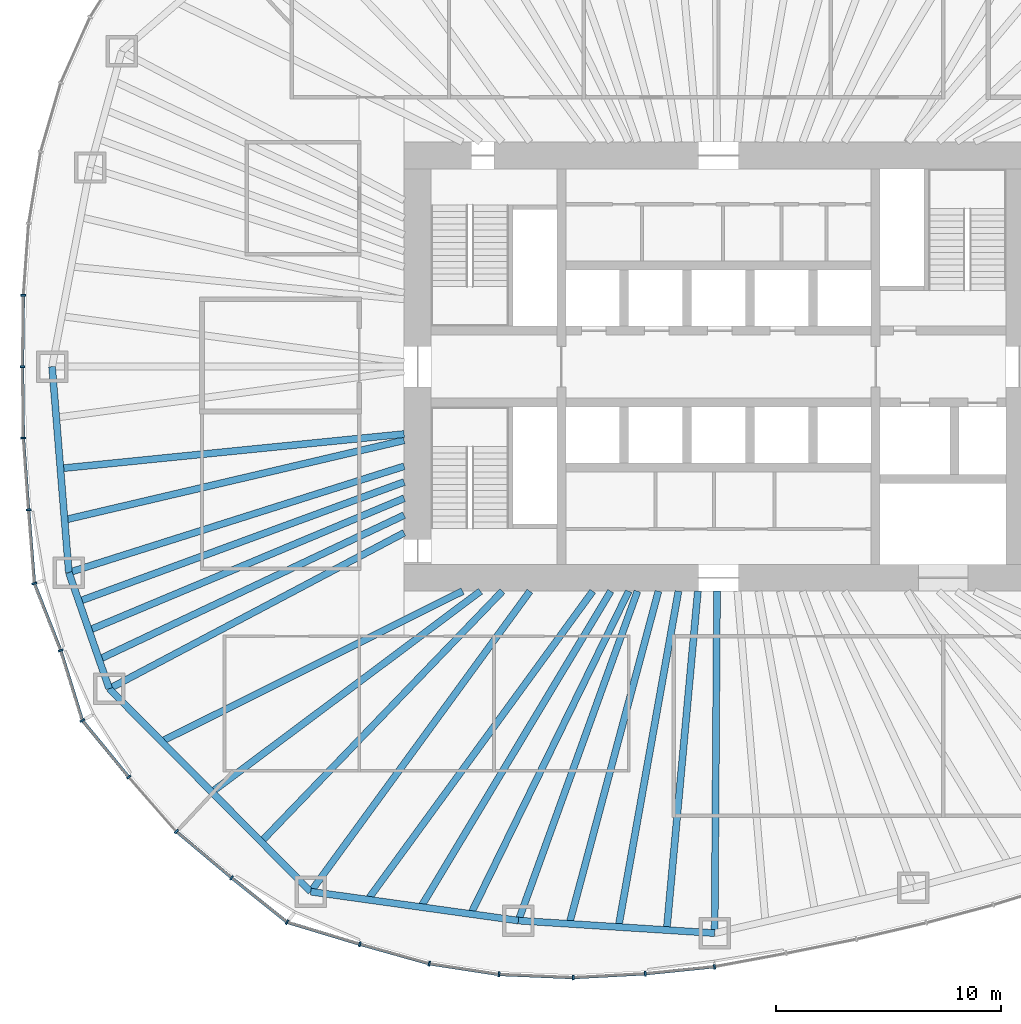
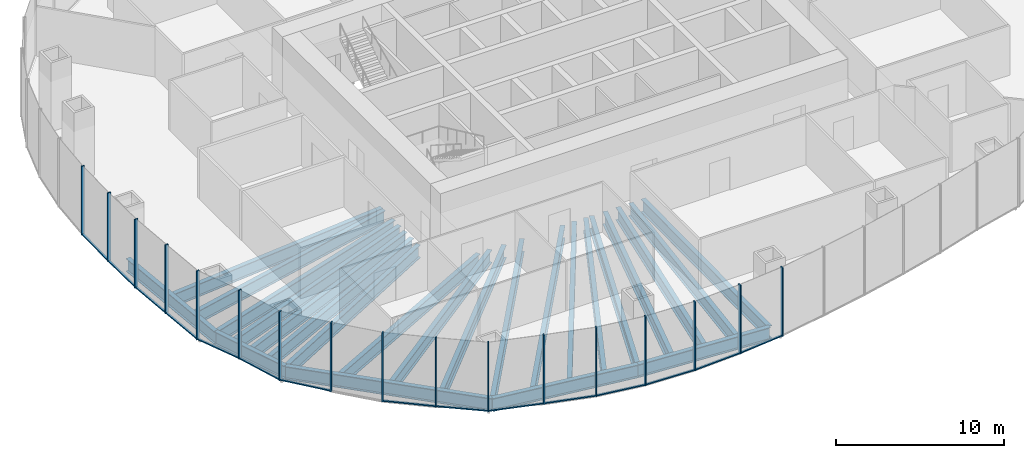
# One storey, part 2 of 18: 32 members, 24 beams, 7 elements without a shape of their own.
"""IFC4 building model written with IfcOpenShell, lengths in metres."""

from ifc_helpers import new_model, si_unit, direction, frame, origin, origin_2d, place, context, subcontext, project, spatial, rectangle, i_section, extrude, material, material_profile, profile_set, type_object, element, aggregate, save


model = new_model("IFC4")

# Units and contexts
model_context = context("Model", 3, precision=1e-05, world=origin(), true_north=direction((0.0, 1.0)))
body_context = subcontext(model_context, "Body", "Model", "MODEL_VIEW")
ifc_project = project(units=[si_unit("LENGTHUNIT", "METRE"), si_unit("AREAUNIT", "SQUARE_METRE"), si_unit("VOLUMEUNIT", "CUBIC_METRE"), si_unit("PLANEANGLEUNIT", "RADIAN"), si_unit("MASSUNIT", "GRAM", prefix="KILO")], contexts=[model_context])

# Site, building, storey
site_placement = place(None, origin())
site = spatial("IfcSite", under=ifc_project, at=site_placement, CompositionType="ELEMENT")
building_placement = place(site_placement, origin())
building = spatial("IfcBuilding", under=site, at=building_placement, Name="Ghaith Harvest Tower", CompositionType="ELEMENT")
storey_placement = place(building_placement, frame((0.0, 0.0, 95.0)))
storey = spatial("IfcBuildingStorey", under=building, at=storey_placement, Name="L19", CompositionType="ELEMENT", Elevation=95.0)

# Curtain wall, member
ifc_material_1 = material(Name="Black anodised aluminium and fritted glass", Category="aluminium")
curtain_wall_type = type_object("IfcCurtainWallType", Name="CW-F CURTAIN WALL", PredefinedType="NOTDEFINED", material=ifc_material_1)
curtain_wall_1_placement = place(storey_placement, origin())
curtain_wall_1 = element("IfcCurtainWall", 1, at=curtain_wall_1_placement, inside=storey, type_object=curtain_wall_type, Name="Curtain wall CW-F bay 10 L19", PredefinedType="NOTDEFINED")
ifc_material_2 = material(Name="Aluminium, black anodised", Category="aluminium")
ifc_material_profile_1 = material_profile(ifc_material_2, rectangle(XDim=0.080078125, YDim=0.219970703125, at=origin_2d()), Name="CW-F MULLION 80x220")
ifc_profile_set_1 = profile_set([ifc_material_profile_1], Name="Aluminium, black anodised")
member_type_1 = type_object("IfcMemberType", Name="CW-F MULLION 80x220", PredefinedType="MULLION", material=ifc_profile_set_1)
member_1_placement = place(storey_placement, frame((-30.95654296875, 3.177978515625, 0.0), z_axis=(0.0, 0.0, 1.0), x_axis=(-0.042427007767, -0.999099569118, 0.0)))
member_1 = element("IfcMember", 2, at=member_1_placement, type_object=member_type_1, Name="CW-F mullion 3 bay 10 L19", PredefinedType="MULLION", context=body_context, shape_type="SweptSolid", body=[
    extrude(rectangle(XDim=0.080078125, YDim=0.219970703125, at=origin_2d()), origin(), (0.0, 0.0, 1.0), 5.0),
])

# Curtain wall, members
curtain_wall_2_placement = place(storey_placement, origin())
curtain_wall_2 = element("IfcCurtainWall", 3, at=curtain_wall_2_placement, inside=storey, type_object=curtain_wall_type, Name="Curtain wall CW-F bay 11 L19", PredefinedType="NOTDEFINED")
member_2_placement = place(storey_placement, frame((-30.9951171875, 0.0, 0.0), z_axis=(0.0, 0.0, 1.0), x_axis=(1.4e-10, -1.0, 0.0)))
member_2 = element("IfcMember", 4, at=member_2_placement, type_object=member_type_1, Name="CW-F mullion 1 bay 11 L19", PredefinedType="MULLION", context=body_context, shape_type="SweptSolid", body=[
    extrude(rectangle(XDim=0.080078125, YDim=0.219970703125, at=origin_2d()), origin(), (0.0, 0.0, 1.0), 5.0),
])
member_3_placement = place(storey_placement, frame((-30.95654296875, -3.177978515625, 0.0), z_axis=(0.0, 0.0, 1.0), x_axis=(0.042427007872, -0.999099569114, 0.0)))
member_3 = element("IfcMember", 5, at=member_3_placement, type_object=member_type_1, Name="CW-F mullion 2 bay 11 L19", PredefinedType="MULLION", context=body_context, shape_type="SweptSolid", body=[
    extrude(rectangle(XDim=0.080078125, YDim=0.219970703125, at=origin_2d()), origin(), (0.0, 0.0, 1.0), 5.0),
])
member_4_placement = place(storey_placement, frame((-30.724365234375, -6.37548828125, 0.0), z_axis=(0.0, 0.0, 1.0), x_axis=(0.07568573288, -0.997131721408, 0.0)))
member_4 = element("IfcMember", 6, at=member_4_placement, type_object=member_type_1, Name="CW-F mullion 3 bay 11 L19", PredefinedType="MULLION", context=body_context, shape_type="SweptSolid", body=[
    extrude(rectangle(XDim=0.080078125, YDim=0.219970703125, at=origin_2d()), origin(), (0.0, 0.0, 1.0), 5.0),
])

curtain_wall_3_placement = place(storey_placement, origin())
curtain_wall_3 = element("IfcCurtainWall", 7, at=curtain_wall_3_placement, inside=storey, type_object=curtain_wall_type, Name="Curtain wall CW-F bay 12 L19", PredefinedType="NOTDEFINED")
member_5_placement = place(storey_placement, frame((-30.46484375, -9.65478515625, 0.0), z_axis=(0.0, 0.0, 1.0), x_axis=(0.222967363441, -0.974825910017, 0.0)))
member_5 = element("IfcMember", 8, at=member_5_placement, type_object=member_type_1, Name="CW-F mullion 1 bay 12 L19", PredefinedType="MULLION", context=body_context, shape_type="SweptSolid", body=[
    extrude(rectangle(XDim=0.080078125, YDim=0.219970703125, at=origin_2d()), origin(), (0.0, 0.0, 1.0), 5.0),
])
member_6_placement = place(storey_placement, frame((-29.29248046875, -12.63525390625, 0.0), z_axis=(0.0, 0.0, 1.0), x_axis=(0.330700518925, -0.943735750506, 0.0)))
member_6 = element("IfcMember", 9, at=member_6_placement, type_object=member_type_1, Name="CW-F mullion 2 bay 12 L19", PredefinedType="MULLION", context=body_context, shape_type="SweptSolid", body=[
    extrude(rectangle(XDim=0.080078125, YDim=0.219970703125, at=origin_2d()), origin(), (0.0, 0.0, 1.0), 5.0),
])
member_7_placement = place(storey_placement, frame((-28.3271484375, -15.7548828125, 0.0), z_axis=(0.0, 0.0, 1.0), x_axis=(0.473265082527, -0.880920065421, 0.0)))
member_7 = element("IfcMember", 10, at=member_7_placement, type_object=member_type_1, Name="CW-F mullion 3 bay 12 L19", PredefinedType="MULLION", context=body_context, shape_type="SweptSolid", body=[
    extrude(rectangle(XDim=0.080078125, YDim=0.219970703125, at=origin_2d()), origin(), (0.0, 0.0, 1.0), 5.0),
])

curtain_wall_4_placement = place(storey_placement, origin())
curtain_wall_4 = element("IfcCurtainWall", 11, at=curtain_wall_4_placement, inside=storey, type_object=curtain_wall_type, Name="Curtain wall CW-F bay 13 L19", PredefinedType="NOTDEFINED")
member_8_placement = place(storey_placement, frame((-26.26318359375, -18.274169921875, 0.0), z_axis=(0.0, 0.0, 1.0), x_axis=(0.646523538748, -0.762894038412, 0.0)))
member_8 = element("IfcMember", 12, at=member_8_placement, type_object=member_type_1, Name="CW-F mullion 1 bay 13 L19", PredefinedType="MULLION", context=body_context, shape_type="SweptSolid", body=[
    extrude(rectangle(XDim=0.080078125, YDim=0.219970703125, at=origin_2d()), origin(), (0.0, 0.0, 1.0), 5.0),
])
member_9_placement = place(storey_placement, frame((-24.139404296875, -20.696533203125, 0.0), z_axis=(0.0, 0.0, 1.0), x_axis=(0.714663248554, -0.699468684907, 0.0)))
member_9 = element("IfcMember", 13, at=member_9_placement, type_object=member_type_1, Name="CW-F mullion 2 bay 13 L19", PredefinedType="MULLION", context=body_context, shape_type="SweptSolid", body=[
    extrude(rectangle(XDim=0.080078125, YDim=0.219970703125, at=origin_2d()), origin(), (0.0, 0.0, 1.0), 5.0),
])
member_10_placement = place(storey_placement, frame((-21.681640625, -22.758056640625, 0.0), z_axis=(0.0, 0.0, 1.0), x_axis=(0.773138721505, -0.634236956751, 0.0)))
member_10 = element("IfcMember", 14, at=member_10_placement, type_object=member_type_1, Name="CW-F mullion 3 bay 13 L19", PredefinedType="MULLION", context=body_context, shape_type="SweptSolid", body=[
    extrude(rectangle(XDim=0.080078125, YDim=0.219970703125, at=origin_2d()), origin(), (0.0, 0.0, 1.0), 5.0),
])

curtain_wall_5_placement = place(storey_placement, origin())
curtain_wall_5 = element("IfcCurtainWall", 15, at=curtain_wall_5_placement, inside=storey, type_object=curtain_wall_type, Name="Curtain wall CW-F bay 14 L19", PredefinedType="NOTDEFINED")
member_11_placement = place(storey_placement, frame((-19.212646484375, -24.73828125, 0.0), z_axis=(0.0, 0.0, 1.0), x_axis=(0.887912253774, -0.460012858079, 0.0)))
member_11 = element("IfcMember", 16, at=member_11_placement, type_object=member_type_1, Name="CW-F mullion 1 bay 14 L19", PredefinedType="MULLION", context=body_context, shape_type="SweptSolid", body=[
    extrude(rectangle(XDim=0.080078125, YDim=0.219970703125, at=origin_2d()), origin(), (0.0, 0.0, 1.0), 5.0),
])
member_12_placement = place(storey_placement, frame((-15.97119140625, -25.716552734375, 0.0), z_axis=(0.0, 0.0, 1.0), x_axis=(0.960008876539, -0.279969564356, 0.0)))
member_12 = element("IfcMember", 17, at=member_12_placement, type_object=member_type_1, Name="CW-F mullion 2 bay 14 L19", PredefinedType="MULLION", context=body_context, shape_type="SweptSolid", body=[
    extrude(rectangle(XDim=0.080078125, YDim=0.219970703125, at=origin_2d()), origin(), (0.0, 0.0, 1.0), 5.0),
])
member_13_placement = place(storey_placement, frame((-12.880615234375, -26.5849609375, 0.0), z_axis=(0.0, 0.0, 1.0), x_axis=(0.977207016024, -0.212288595628, 0.0)))
member_13 = element("IfcMember", 18, at=member_13_placement, type_object=member_type_1, Name="CW-F mullion 3 bay 14 L19", PredefinedType="MULLION", context=body_context, shape_type="SweptSolid", body=[
    extrude(rectangle(XDim=0.080078125, YDim=0.219970703125, at=origin_2d()), origin(), (0.0, 0.0, 1.0), 5.0),
])

curtain_wall_6_placement = place(storey_placement, origin())
curtain_wall_6 = element("IfcCurtainWall", 19, at=curtain_wall_6_placement, inside=storey, type_object=curtain_wall_type, Name="Curtain wall CW-F bay 15 L19", PredefinedType="NOTDEFINED")
member_14_placement = place(storey_placement, frame((-9.7744140625, -27.062744140625, 0.0), z_axis=(0.0, 0.0, 1.0), x_axis=(0.995408459417, -0.095718331168, 0.0)))
member_14 = element("IfcMember", 20, at=member_14_placement, type_object=member_type_1, Name="CW-F mullion 1 bay 15 L19", PredefinedType="MULLION", context=body_context, shape_type="SweptSolid", body=[
    extrude(rectangle(XDim=0.080078125, YDim=0.219970703125, at=origin_2d()), origin(), (0.0, 0.0, 1.0), 5.0),
])
member_15_placement = place(storey_placement, frame((-6.465087890625, -27.20166015625, 0.0), z_axis=(0.0, 0.0, 1.0), x_axis=(0.999987206373, 0.005058368251, 0.0)))
member_15 = element("IfcMember", 21, at=member_15_placement, type_object=member_type_1, Name="CW-F mullion 2 bay 15 L19", PredefinedType="MULLION", context=body_context, shape_type="SweptSolid", body=[
    extrude(rectangle(XDim=0.080078125, YDim=0.219970703125, at=origin_2d()), origin(), (0.0, 0.0, 1.0), 5.0),
])
member_16_placement = place(storey_placement, frame((-3.261962890625, -27.02978515625, 0.0), z_axis=(0.0, 0.0, 1.0), x_axis=(0.997037536276, 0.07691652135, 0.0)))
member_16 = element("IfcMember", 22, at=member_16_placement, type_object=member_type_1, Name="CW-F mullion 3 bay 15 L19", PredefinedType="MULLION", context=body_context, shape_type="SweptSolid", body=[
    extrude(rectangle(XDim=0.080078125, YDim=0.219970703125, at=origin_2d()), origin(), (0.0, 0.0, 1.0), 5.0),
])

# Curtain wall, member
curtain_wall_7_placement = place(storey_placement, origin())
curtain_wall_7 = element("IfcCurtainWall", 23, at=curtain_wall_7_placement, inside=storey, type_object=curtain_wall_type, Name="Curtain wall CW-F bay 16 L19", PredefinedType="NOTDEFINED")
member_17_placement = place(storey_placement, frame((-0.182861328125, -26.717041015625, 0.0), z_axis=(0.0, 0.0, 1.0), x_axis=(0.98971187144, 0.143074845907, 0.0)))
member_17 = element("IfcMember", 24, at=member_17_placement, type_object=member_type_1, Name="CW-F mullion 1 bay 16 L19", PredefinedType="MULLION", context=body_context, shape_type="SweptSolid", body=[
    extrude(rectangle(XDim=0.080078125, YDim=0.219970703125, at=origin_2d()), origin(), (0.0, 0.0, 1.0), 5.0),
])
aggregate(curtain_wall_7, [member_17])

# Member
ifc_material_3 = material(Name="Aluminium, black anodised", Category="aluminium")
ifc_material_profile_2 = material_profile(ifc_material_3, rectangle(XDim=0.139892578125, YDim=0.080078125, at=origin_2d()), Name="CW-F TRANSOM 140x80")
ifc_profile_set_2 = profile_set([ifc_material_profile_2], Name="Aluminium, black anodised")
member_type_2 = type_object("IfcMemberType", Name="CW-F TRANSOM 140x80", PredefinedType="USERDEFINED", material=ifc_profile_set_2)
member_18_placement = place(storey_placement, frame((-30.95703125, 3.137939453125, 0.0400390625), z_axis=(-0.012135602457, -0.999926360865, 0.0), x_axis=(0.999926360865, -0.012135602457, 0.0)))
member_18 = element("IfcMember", 25, at=member_18_placement, type_object=member_type_2, Name="CW-F transom 3 bay 10 L19", ObjectType="TRANSOM", PredefinedType="USERDEFINED", context=body_context, shape_type="SweptSolid", body=[
    extrude(rectangle(XDim=0.139892578125, YDim=0.080078125, at=origin_2d()), origin(), (0.0, 0.0, 1.0), 3.09814453125),
])

aggregate(curtain_wall_1, [member_1, member_18])

member_19_placement = place(storey_placement, frame((-30.99462890625, -0.0400390625, 0.0400390625), z_axis=(0.012135602457, -0.999926360865, 0.0), x_axis=(0.999926360865, 0.012135602457, 0.0)))
member_19 = element("IfcMember", 26, at=member_19_placement, type_object=member_type_2, Name="CW-F transom 1 bay 11 L19", ObjectType="TRANSOM", PredefinedType="USERDEFINED", context=body_context, shape_type="SweptSolid", body=[
    extrude(rectangle(XDim=0.139892578125, YDim=0.080078125, at=origin_2d()), origin(), (0.0, 0.0, 1.0), 3.09814453125),
])

member_20_placement = place(storey_placement, frame((-30.95361328125, -3.2177734375, 0.0400390625), z_axis=(0.072473547161, -0.997370334912, 0.0), x_axis=(0.997370334912, 0.072473547161, 0.0)))
member_20 = element("IfcMember", 27, at=member_20_placement, type_object=member_type_2, Name="CW-F transom 2 bay 11 L19", ObjectType="TRANSOM", PredefinedType="USERDEFINED", context=body_context, shape_type="SweptSolid", body=[
    extrude(rectangle(XDim=0.139892578125, YDim=0.080078125, at=origin_2d()), origin(), (0.0, 0.0, 1.0), 3.126220703125),
])

member_21_placement = place(storey_placement, frame((-30.72119140625, -6.415283203125, 0.0400390625), z_axis=(0.078877539502, -0.996884313129, 0.0), x_axis=(0.996884313129, 0.078877539502, 0.0)))
member_21 = element("IfcMember", 28, at=member_21_placement, type_object=member_type_2, Name="CW-F transom 3 bay 11 L19", ObjectType="TRANSOM", PredefinedType="USERDEFINED", context=body_context, shape_type="SweptSolid", body=[
    extrude(rectangle(XDim=0.139892578125, YDim=0.080078125, at=origin_2d()), origin(), (0.0, 0.0, 1.0), 3.209716796875),
])

aggregate(curtain_wall_2, [member_2, member_19, member_3, member_20, member_4, member_21])

member_22_placement = place(storey_placement, frame((-30.4501953125, -9.692138671875, 0.0400390625), z_axis=(0.366046617161, -0.93059651518, 0.0), x_axis=(0.93059651518, 0.366046617161, 0.0)))
member_22 = element("IfcMember", 29, at=member_22_placement, type_object=member_type_2, Name="CW-F transom 1 bay 12 L19", ObjectType="TRANSOM", PredefinedType="USERDEFINED", context=body_context, shape_type="SweptSolid", body=[
    extrude(rectangle(XDim=0.139892578125, YDim=0.080078125, at=origin_2d()), origin(), (0.0, 0.0, 1.0), 3.122802734375),
])

member_23_placement = place(storey_placement, frame((-29.28076171875, -12.673583984375, 0.0400390625), z_axis=(0.295598800908, -0.955312173534, 0.0), x_axis=(0.955312173534, 0.295598800908, 0.0)))
member_23 = element("IfcMember", 30, at=member_23_placement, type_object=member_type_2, Name="CW-F transom 2 bay 12 L19", ObjectType="TRANSOM", PredefinedType="USERDEFINED", context=body_context, shape_type="SweptSolid", body=[
    extrude(rectangle(XDim=0.139892578125, YDim=0.080078125, at=origin_2d()), origin(), (0.0, 0.0, 1.0), 3.185546875),
])

member_24_placement = place(storey_placement, frame((-28.302001953125, -15.785888671875, 0.0400390625), z_axis=(0.633790042943, -0.773505126982, 0.0), x_axis=(0.773505126982, 0.633790042943, 0.0)))
member_24 = element("IfcMember", 31, at=member_24_placement, type_object=member_type_2, Name="CW-F transom 3 bay 12 L19", ObjectType="TRANSOM", PredefinedType="USERDEFINED", context=body_context, shape_type="SweptSolid", body=[
    extrude(rectangle(XDim=0.139892578125, YDim=0.080078125, at=origin_2d()), origin(), (0.0, 0.0, 1.0), 3.1767578125),
])

aggregate(curtain_wall_3, [member_5, member_22, member_6, member_23, member_7, member_24])

member_25_placement = place(storey_placement, frame((-24.10888671875, -20.72216796875, 0.0400390625), z_axis=(0.766144434184, -0.642668426149, 0.0), x_axis=(0.642668426149, 0.766144434184, 0.0)))
member_25 = element("IfcMember", 32, at=member_25_placement, type_object=member_type_2, Name="CW-F transom 2 bay 13 L19", ObjectType="TRANSOM", PredefinedType="USERDEFINED", context=body_context, shape_type="SweptSolid", body=[
    extrude(rectangle(XDim=0.139892578125, YDim=0.080078125, at=origin_2d()), origin(), (0.0, 0.0, 1.0), 3.1279296875),
])

member_26_placement = place(storey_placement, frame((-21.650634765625, -22.783203125, 0.0400390625), z_axis=(0.780181223133, -0.625553562112, 0.0), x_axis=(0.625553562112, 0.780181223133, 0.0)))
member_26 = element("IfcMember", 33, at=member_26_placement, type_object=member_type_2, Name="CW-F transom 3 bay 13 L19", ObjectType="TRANSOM", PredefinedType="USERDEFINED", context=body_context, shape_type="SweptSolid", body=[
    extrude(rectangle(XDim=0.139892578125, YDim=0.080078125, at=origin_2d()), origin(), (0.0, 0.0, 1.0), 3.085205078125),
])

aggregate(curtain_wall_4, [member_8, member_9, member_25, member_10, member_26])

member_27_placement = place(storey_placement, frame((-19.17431640625, -24.749755859375, 0.0400390625), z_axis=(0.957335035376, -0.288980328121, 0.0), x_axis=(0.288980328121, 0.957335035376, 0.0)))
member_27 = element("IfcMember", 34, at=member_27_placement, type_object=member_type_2, Name="CW-F transom 1 bay 14 L19", ObjectType="TRANSOM", PredefinedType="USERDEFINED", context=body_context, shape_type="SweptSolid", body=[
    extrude(rectangle(XDim=0.139892578125, YDim=0.080078125, at=origin_2d()), origin(), (0.0, 0.0, 1.0), 3.305908203125),
])

member_28_placement = place(storey_placement, frame((-15.9326171875, -25.727294921875, 0.0400390625), z_axis=(0.962727128991, -0.270474536888, 0.0), x_axis=(0.270474536888, 0.962727128991, 0.0)))
member_28 = element("IfcMember", 35, at=member_28_placement, type_object=member_type_2, Name="CW-F transom 2 bay 14 L19", ObjectType="TRANSOM", PredefinedType="USERDEFINED", context=body_context, shape_type="SweptSolid", body=[
    extrude(rectangle(XDim=0.139892578125, YDim=0.080078125, at=origin_2d()), origin(), (0.0, 0.0, 1.0), 3.13037109375),
])

member_29_placement = place(storey_placement, frame((-12.841064453125, -26.591064453125, 0.0400390625), z_axis=(0.988378147633, -0.152015253451, 0.0), x_axis=(0.152015253451, 0.988378147633, 0.0)))
member_29 = element("IfcMember", 36, at=member_29_placement, type_object=member_type_2, Name="CW-F transom 3 bay 14 L19", ObjectType="TRANSOM", PredefinedType="USERDEFINED", context=body_context, shape_type="SweptSolid", body=[
    extrude(rectangle(XDim=0.139892578125, YDim=0.080078125, at=origin_2d()), origin(), (0.0, 0.0, 1.0), 3.062744140625),
])

aggregate(curtain_wall_5, [member_11, member_27, member_12, member_28, member_13, member_29])

member_30_placement = place(storey_placement, frame((-9.734375, -27.064453125, 0.0400390625), z_axis=(0.999117688764, -0.04199814281, 0.0), x_axis=(0.04199814281, 0.999117688764, 0.0)))
member_30 = element("IfcMember", 37, at=member_30_placement, type_object=member_type_2, Name="CW-F transom 1 bay 15 L19", ObjectType="TRANSOM", PredefinedType="USERDEFINED", context=body_context, shape_type="SweptSolid", body=[
    extrude(rectangle(XDim=0.139892578125, YDim=0.080078125, at=origin_2d()), origin(), (0.0, 0.0, 1.0), 3.232177734375),
])

member_31_placement = place(storey_placement, frame((-6.42529296875, -27.19970703125, 0.0400390625), z_axis=(0.99856142387, 0.053619798202, 0.0), x_axis=(-0.053619798202, 0.99856142387, 0.0)))
member_31 = element("IfcMember", 38, at=member_31_placement, type_object=member_type_2, Name="CW-F transom 2 bay 15 L19", ObjectType="TRANSOM", PredefinedType="USERDEFINED", context=body_context, shape_type="SweptSolid", body=[
    extrude(rectangle(XDim=0.139892578125, YDim=0.080078125, at=origin_2d()), origin(), (0.0, 0.0, 1.0), 3.1279296875),
])

member_32_placement = place(storey_placement, frame((-3.22216796875, -27.02587890625, 0.0400390625), z_axis=(0.994880435036, 0.101058992587, 0.0), x_axis=(-0.101058992587, 0.994880435036, 0.0)))
member_32 = element("IfcMember", 39, at=member_32_placement, type_object=member_type_2, Name="CW-F transom 3 bay 15 L19", ObjectType="TRANSOM", PredefinedType="USERDEFINED", context=body_context, shape_type="SweptSolid", body=[
    extrude(rectangle(XDim=0.139892578125, YDim=0.080078125, at=origin_2d()), origin(), (0.0, 0.0, 1.0), 3.014892578125),
])

aggregate(curtain_wall_6, [member_14, member_30, member_15, member_31, member_16, member_32])

# Beams
ifc_material_4 = material(Name="Steel ASTM A992 Grade 50", Category="steel")
ifc_material_profile_3 = material_profile(ifc_material_4, i_section(OverallWidth=0.306884765625, OverallDepth=0.94189453125, WebThickness=0.022216796875, FlangeThickness=0.039794921875, at=origin_2d()), Name="W920X345")
ifc_profile_set_3 = profile_set([ifc_material_profile_3], Name="Steel ASTM A992 Grade 50")
beam_type_1 = type_object("IfcBeamType", Name="E920-345 W920X345", PredefinedType="SPANDREL", material=ifc_profile_set_3)
beam_1_placement = place(storey_placement, frame((-29.675048828125, 0.0, -0.6708984375), z_axis=(0.081006863421, -0.996713543642, 0.0), x_axis=(0.996713543642, 0.081006863421, 0.0)))
element("IfcBeam", 40, at=beam_1_placement, inside=storey, type_object=beam_type_1, Name="Edge beam E11 L19", PredefinedType="SPANDREL", context=body_context, shape_type="SweptSolid", body=[
    extrude(i_section(OverallWidth=0.306884765625, OverallDepth=0.94189453125, WebThickness=0.022216796875, FlangeThickness=0.039794921875, at=origin_2d()), origin(), (0.0, 0.0, 1.0), 9.1982421875),
])
beam_2_placement = place(storey_placement, frame((-28.929931640625, -9.16796875, -0.6708984375), z_axis=(0.328278550319, -0.944580961803, 0.0), x_axis=(0.944580961803, 0.328278550319, 0.0)))
element("IfcBeam", 41, at=beam_2_placement, inside=storey, type_object=beam_type_1, Name="Edge beam E12 L19", PredefinedType="SPANDREL", context=body_context, shape_type="SweptSolid", body=[
    extrude(i_section(OverallWidth=0.306884765625, OverallDepth=0.94189453125, WebThickness=0.022216796875, FlangeThickness=0.039794921875, at=origin_2d()), origin(), (0.0, 0.0, 1.0), 5.4765625),
])
beam_3_placement = place(storey_placement, frame((-27.132080078125, -14.341064453125, -0.6708984375), z_axis=(0.704562513714, -0.709641926798, 0.0), x_axis=(0.709641926798, 0.704562513714, 0.0)))
element("IfcBeam", 42, at=beam_3_placement, inside=storey, type_object=beam_type_1, Name="Edge beam E13 L19", PredefinedType="SPANDREL", context=body_context, shape_type="SweptSolid", body=[
    extrude(i_section(OverallWidth=0.306884765625, OverallDepth=0.94189453125, WebThickness=0.022216796875, FlangeThickness=0.039794921875, at=origin_2d()), origin(), (0.0, 0.0, 1.0), 12.737060546875),
])
beam_4_placement = place(storey_placement, frame((-18.157958984375, -23.3798828125, -0.6708984375), z_axis=(0.990441143901, -0.137936001352, 0.0), x_axis=(0.137936001352, 0.990441143901, 0.0)))
element("IfcBeam", 43, at=beam_4_placement, inside=storey, type_object=beam_type_1, Name="Edge beam E14 L19", PredefinedType="SPANDREL", context=body_context, shape_type="SweptSolid", body=[
    extrude(i_section(OverallWidth=0.306884765625, OverallDepth=0.94189453125, WebThickness=0.022216796875, FlangeThickness=0.039794921875, at=origin_2d()), origin(), (0.0, 0.0, 1.0), 9.33837890625),
])
beam_5_placement = place(storey_placement, frame((-8.908935546875, -24.66796875, -0.6708984375), z_axis=(0.99797963184, -0.063534671101, 0.0), x_axis=(0.063534671101, 0.99797963184, 0.0)))
element("IfcBeam", 44, at=beam_5_placement, inside=storey, type_object=beam_type_1, Name="Edge beam E15 L19", PredefinedType="SPANDREL", context=body_context, shape_type="SweptSolid", body=[
    extrude(i_section(OverallWidth=0.306884765625, OverallDepth=0.94189453125, WebThickness=0.022216796875, FlangeThickness=0.039794921875, at=origin_2d()), origin(), (0.0, 0.0, 1.0), 8.75341796875),
])
ifc_material_5 = material(Name="Steel ASTM A992 Grade 50", Category="steel")
ifc_material_profile_4 = material_profile(ifc_material_5, i_section(OverallWidth=0.306884765625, OverallDepth=0.94189453125, WebThickness=0.022216796875, FlangeThickness=0.039794921875, at=origin_2d()), Name="W920X345")
ifc_profile_set_4 = profile_set([ifc_material_profile_4], Name="Steel ASTM A992 Grade 50")
beam_type_2 = type_object("IfcBeamType", Name="G920-345 W920X345", PredefinedType="BEAM", material=ifc_profile_set_4)
beam_6_placement = place(storey_placement, frame((-14.0, -4.43701171875, -0.6708984375), z_axis=(-0.953284407194, -0.302074227636, 0.0), x_axis=(0.302074227636, -0.953284407194, 0.0)))
element("IfcBeam", 45, at=beam_6_placement, inside=storey, type_object=beam_type_2, Name="Radial girder G12 L19", PredefinedType="BEAM", context=body_context, shape_type="SweptSolid", body=[
    extrude(i_section(OverallWidth=0.306884765625, OverallDepth=0.94189453125, WebThickness=0.022216796875, FlangeThickness=0.039794921875, at=origin_2d()), origin(), (0.0, 0.0, 1.0), 15.66162109375),
])
beam_7_placement = place(storey_placement, frame((-14.0, -7.39990234375, -0.6708984375), z_axis=(-0.884097171481, -0.467303104397, 0.0), x_axis=(0.467303104397, -0.884097171481, 0.0)))
element("IfcBeam", 46, at=beam_7_placement, inside=storey, type_object=beam_type_2, Name="Radial girder G13 L19", PredefinedType="BEAM", context=body_context, shape_type="SweptSolid", body=[
    extrude(i_section(OverallWidth=0.306884765625, OverallDepth=0.94189453125, WebThickness=0.022216796875, FlangeThickness=0.039794921875, at=origin_2d()), origin(), (0.0, 0.0, 1.0), 14.853759765625),
])
beam_8_placement = place(storey_placement, frame((-8.39990234375, -10.0, -0.6708984375), z_axis=(-0.589246749374, -0.807953134997, 0.0), x_axis=(0.807953134997, -0.589246749374, 0.0)))
element("IfcBeam", 47, at=beam_8_placement, inside=storey, type_object=beam_type_2, Name="Radial girder G14 L19", PredefinedType="BEAM", context=body_context, shape_type="SweptSolid", body=[
    extrude(i_section(OverallWidth=0.306884765625, OverallDepth=0.94189453125, WebThickness=0.022216796875, FlangeThickness=0.039794921875, at=origin_2d()), origin(), (0.0, 0.0, 1.0), 16.560302734375),
])
beam_9_placement = place(storey_placement, frame((-3.61181640625, -10.0, -0.6708984375), z_axis=(-0.339664467784, -0.940546675782, 0.0), x_axis=(0.940546675782, -0.339664467784, 0.0)))
element("IfcBeam", 48, at=beam_9_placement, inside=storey, type_object=beam_type_2, Name="Radial girder G15 L19", PredefinedType="BEAM", context=body_context, shape_type="SweptSolid", body=[
    extrude(i_section(OverallWidth=0.306884765625, OverallDepth=0.94189453125, WebThickness=0.022216796875, FlangeThickness=0.039794921875, at=origin_2d()), origin(), (0.0, 0.0, 1.0), 15.59521484375),
])
beam_10_placement = place(storey_placement, frame((-0.068359375, -10.0, -0.6708984375), z_axis=(-0.006879467722, -0.999976336182, 0.0), x_axis=(0.999976336182, -0.006879467722, 0.0)))
element("IfcBeam", 49, at=beam_10_placement, inside=storey, type_object=beam_type_2, Name="Radial girder G16 L19", PredefinedType="BEAM", context=body_context, shape_type="SweptSolid", body=[
    extrude(i_section(OverallWidth=0.306884765625, OverallDepth=0.94189453125, WebThickness=0.022216796875, FlangeThickness=0.039794921875, at=origin_2d()), origin(), (0.0, 0.0, 1.0), 15.224365234375),
])
ifc_material_6 = material(Name="Steel ASTM A992 Grade 50", Category="steel")
ifc_material_profile_5 = material_profile(ifc_material_6, i_section(OverallWidth=0.31005859375, OverallDepth=0.927001953125, WebThickness=0.019287109375, FlangeThickness=0.031982421875, at=origin_2d()), Name="W920X289")
ifc_profile_set_5 = profile_set([ifc_material_profile_5], Name="Steel ASTM A992 Grade 50")
beam_type_3 = type_object("IfcBeamType", Name="J920-289 W920X289", PredefinedType="JOIST", material=ifc_profile_set_5)
beam_11_placement = place(storey_placement, frame((-14.0, -3.0, -0.66357421875), z_axis=(-0.995023982133, -0.099635711366, 0.0), x_axis=(0.099635711366, -0.995023982133, 0.0)))
element("IfcBeam", 50, at=beam_11_placement, inside=storey, type_object=beam_type_3, Name="Joist J11.2 L19", PredefinedType="JOIST", context=body_context, shape_type="SweptSolid", body=[
    extrude(i_section(OverallWidth=0.31005859375, OverallDepth=0.927001953125, WebThickness=0.019287109375, FlangeThickness=0.031982421875, at=origin_2d()), origin(), (0.0, 0.0, 1.0), 15.38330078125),
])
beam_12_placement = place(storey_placement, frame((-14.0, -3.280517578125, -0.66357421875), z_axis=(-0.973622531394, -0.228164778969, 0.0), x_axis=(0.228164778969, -0.973622531394, 0.0)))
element("IfcBeam", 51, at=beam_12_placement, inside=storey, type_object=beam_type_3, Name="Joist J11.3 L19", PredefinedType="JOIST", context=body_context, shape_type="SweptSolid", body=[
    extrude(i_section(OverallWidth=0.31005859375, OverallDepth=0.927001953125, WebThickness=0.019287109375, FlangeThickness=0.031982421875, at=origin_2d()), origin(), (0.0, 0.0, 1.0), 15.5302734375),
])
beam_13_placement = place(storey_placement, frame((-14.0, -5.137939453125, -0.66357421875), z_axis=(-0.938772784742, -0.344536875569, 0.0), x_axis=(0.344536875569, -0.938772784742, 0.0)))
element("IfcBeam", 52, at=beam_13_placement, inside=storey, type_object=beam_type_3, Name="Joist J12.1 L19", PredefinedType="JOIST", context=body_context, shape_type="SweptSolid", body=[
    extrude(i_section(OverallWidth=0.31005859375, OverallDepth=0.927001953125, WebThickness=0.019287109375, FlangeThickness=0.031982421875, at=origin_2d()), origin(), (0.0, 0.0, 1.0), 15.427734375),
])
beam_14_placement = place(storey_placement, frame((-14.0, -5.862548828125, -0.66357421875), z_axis=(-0.922389547545, -0.386260951404, 0.0), x_axis=(0.386260951404, -0.922389547545, 0.0)))
element("IfcBeam", 53, at=beam_14_placement, inside=storey, type_object=beam_type_3, Name="Joist J12.2 L19", PredefinedType="JOIST", context=body_context, shape_type="SweptSolid", body=[
    extrude(i_section(OverallWidth=0.31005859375, OverallDepth=0.927001953125, WebThickness=0.019287109375, FlangeThickness=0.031982421875, at=origin_2d()), origin(), (0.0, 0.0, 1.0), 15.216796875),
])
beam_15_placement = place(storey_placement, frame((-14.0, -6.614990234375, -0.66357421875), z_axis=(-0.904152605228, -0.427209628239, 0.0), x_axis=(0.427209628239, -0.904152605228, 0.0)))
element("IfcBeam", 54, at=beam_15_placement, inside=storey, type_object=beam_type_3, Name="Joist J12.3 L19", PredefinedType="JOIST", context=body_context, shape_type="SweptSolid", body=[
    extrude(i_section(OverallWidth=0.31005859375, OverallDepth=0.927001953125, WebThickness=0.019287109375, FlangeThickness=0.031982421875, at=origin_2d()), origin(), (0.0, 0.0, 1.0), 15.0263671875),
])
beam_16_placement = place(storey_placement, frame((-11.39990234375, -10.0, -0.66357421875), z_axis=(-0.894746445211, -0.446574516495, 0.0), x_axis=(0.446574516495, -0.894746445211, 0.0)))
element("IfcBeam", 55, at=beam_16_placement, inside=storey, type_object=beam_type_3, Name="Joist J13.1 L19", PredefinedType="JOIST", context=body_context, shape_type="SweptSolid", body=[
    extrude(i_section(OverallWidth=0.31005859375, OverallDepth=0.927001953125, WebThickness=0.019287109375, FlangeThickness=0.031982421875, at=origin_2d()), origin(), (0.0, 0.0, 1.0), 14.977783203125),
])
beam_17_placement = place(storey_placement, frame((-10.60009765625, -10.0, -0.66357421875), z_axis=(-0.800995319048, -0.598670609653, 0.0), x_axis=(0.598670609653, -0.800995319048, 0.0)))
element("IfcBeam", 56, at=beam_17_placement, inside=storey, type_object=beam_type_3, Name="Joist J13.2 L19", PredefinedType="JOIST", context=body_context, shape_type="SweptSolid", body=[
    extrude(i_section(OverallWidth=0.31005859375, OverallDepth=0.927001953125, WebThickness=0.019287109375, FlangeThickness=0.031982421875, at=origin_2d()), origin(), (0.0, 0.0, 1.0), 14.936279296875),
])
beam_18_placement = place(storey_placement, frame((-1.785888671875, -10.0, -0.66357421875), z_axis=(-0.175792307544, -0.984427277461, 0.0), x_axis=(0.984427277461, -0.175792307544, 0.0)))
element("IfcBeam", 57, at=beam_18_placement, inside=storey, type_object=beam_type_3, Name="Joist J15.2 L19", PredefinedType="JOIST", context=body_context, shape_type="SweptSolid", body=[
    extrude(i_section(OverallWidth=0.31005859375, OverallDepth=0.927001953125, WebThickness=0.019287109375, FlangeThickness=0.031982421875, at=origin_2d()), origin(), (0.0, 0.0, 1.0), 15.18798828125),
])
beam_19_placement = place(storey_placement, frame((-0.92041015625, -10.0, -0.66357421875), z_axis=(-0.091651457116, -0.995791147987, 0.0), x_axis=(0.995791147987, -0.091651457116, 0.0)))
element("IfcBeam", 58, at=beam_19_placement, inside=storey, type_object=beam_type_3, Name="Joist J15.3 L19", PredefinedType="JOIST", context=body_context, shape_type="SweptSolid", body=[
    extrude(i_section(OverallWidth=0.31005859375, OverallDepth=0.927001953125, WebThickness=0.019287109375, FlangeThickness=0.031982421875, at=origin_2d()), origin(), (0.0, 0.0, 1.0), 15.151611328125),
])
ifc_material_7 = material(Name="Steel ASTM A992 Grade 50", Category="steel")
ifc_material_profile_6 = material_profile(ifc_material_7, i_section(OverallWidth=0.306884765625, OverallDepth=0.94189453125, WebThickness=0.022216796875, FlangeThickness=0.039794921875, at=origin_2d()), Name="W920X345")
ifc_profile_set_6 = profile_set([ifc_material_profile_6], Name="Steel ASTM A992 Grade 50")
beam_type_4 = type_object("IfcBeamType", Name="J920-345 W920X345", PredefinedType="JOIST", material=ifc_profile_set_6)
beam_20_placement = place(storey_placement, frame((-9.626708984375, -10.0, -0.6708984375), z_axis=(-0.69353836378, -0.720419695709, 0.0), x_axis=(0.720419695709, -0.69353836378, 0.0)))
element("IfcBeam", 59, at=beam_20_placement, inside=storey, type_object=beam_type_4, Name="Joist J13.3 L19", PredefinedType="JOIST", context=body_context, shape_type="SweptSolid", body=[
    extrude(i_section(OverallWidth=0.306884765625, OverallDepth=0.94189453125, WebThickness=0.022216796875, FlangeThickness=0.039794921875, at=origin_2d()), origin(), (0.0, 0.0, 1.0), 15.485107421875),
])
beam_21_placement = place(storey_placement, frame((-5.60009765625, -10.0, -0.6708984375), z_axis=(-0.589160240072, -0.808016219836, 0.0), x_axis=(0.808016219836, -0.589160240072, 0.0)))
element("IfcBeam", 60, at=beam_21_placement, inside=storey, type_object=beam_type_4, Name="Joist J14.1 L19", PredefinedType="JOIST", context=body_context, shape_type="SweptSolid", body=[
    extrude(i_section(OverallWidth=0.306884765625, OverallDepth=0.94189453125, WebThickness=0.022216796875, FlangeThickness=0.039794921875, at=origin_2d()), origin(), (0.0, 0.0, 1.0), 16.997314453125),
])
beam_22_placement = place(storey_placement, frame((-4.800048828125, -10.0, -0.6708984375), z_axis=(-0.515226384897, -0.85705412449, 0.0), x_axis=(0.85705412449, -0.515226384897, 0.0)))
element("IfcBeam", 61, at=beam_22_placement, inside=storey, type_object=beam_type_4, Name="Joist J14.2 L19", PredefinedType="JOIST", context=body_context, shape_type="SweptSolid", body=[
    extrude(i_section(OverallWidth=0.306884765625, OverallDepth=0.94189453125, WebThickness=0.022216796875, FlangeThickness=0.039794921875, at=origin_2d()), origin(), (0.0, 0.0, 1.0), 16.408447265625),
])
beam_23_placement = place(storey_placement, frame((-4.0, -10.0, -0.6708984375), z_axis=(-0.439463806704, -0.898260297797, 0.0), x_axis=(0.898260297797, -0.439463806704, 0.0)))
element("IfcBeam", 62, at=beam_23_placement, inside=storey, type_object=beam_type_4, Name="Joist J14.3 L19", PredefinedType="JOIST", context=body_context, shape_type="SweptSolid", body=[
    extrude(i_section(OverallWidth=0.306884765625, OverallDepth=0.94189453125, WebThickness=0.022216796875, FlangeThickness=0.039794921875, at=origin_2d()), origin(), (0.0, 0.0, 1.0), 16.000244140625),
])
beam_24_placement = place(storey_placement, frame((-2.677978515625, -10.0, -0.6708984375), z_axis=(-0.258693109612, -0.965959561803, 0.0), x_axis=(0.965959561803, -0.258693109612, 0.0)))
element("IfcBeam", 63, at=beam_24_placement, inside=storey, type_object=beam_type_4, Name="Joist J15.1 L19", PredefinedType="JOIST", context=body_context, shape_type="SweptSolid", body=[
    extrude(i_section(OverallWidth=0.306884765625, OverallDepth=0.94189453125, WebThickness=0.022216796875, FlangeThickness=0.039794921875, at=origin_2d()), origin(), (0.0, 0.0, 1.0), 15.333984375),
])

save(model, "model.ifc")
